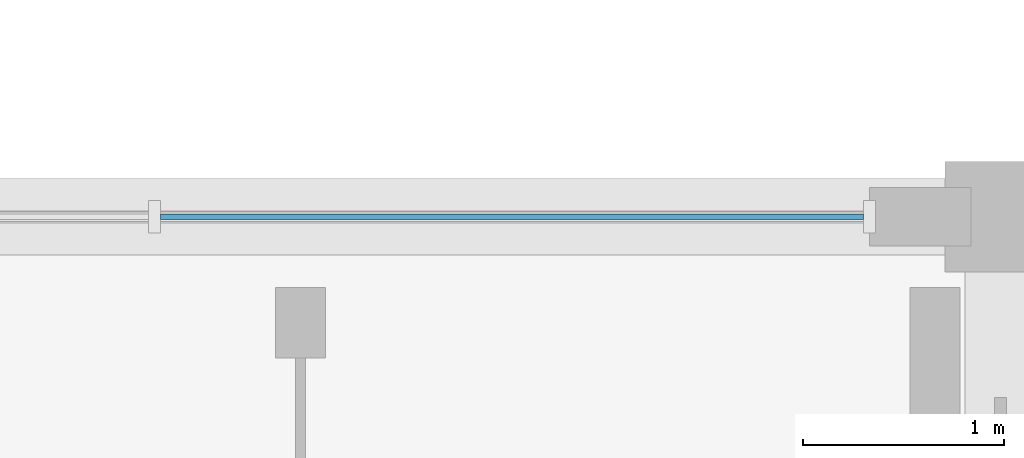
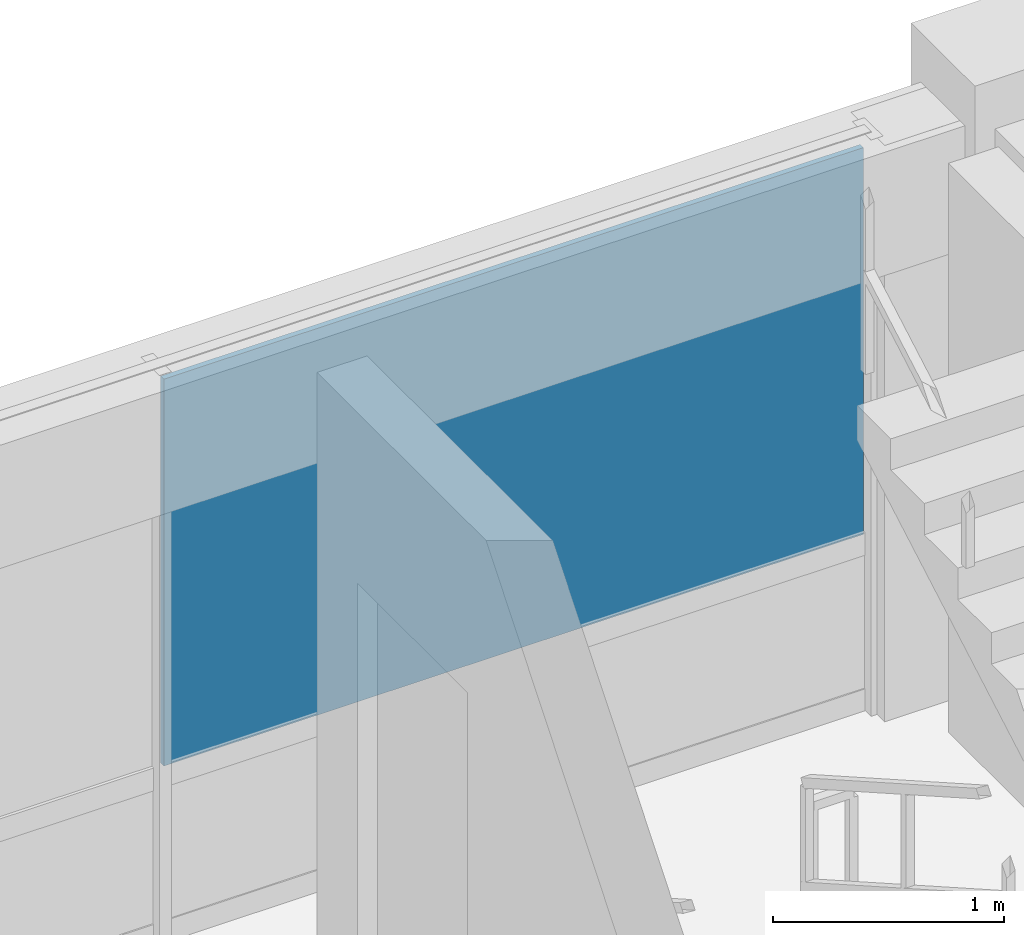
# One storey, part 21 of 68: 1 plate, 1 element without a shape of its own.
"""IFC4 building model written with IfcOpenShell, lengths in metres."""

from ifc_helpers import new_model, si_unit, direction, frame, origin, origin_2d, place, context, subcontext, project, spatial, rectangle, extrude, material, layer, layer_set, type_object, element, aggregate, save


model = new_model("IFC4")

# Units and contexts
model_context = context("Model", 3, precision=1e-05, world=origin(), true_north=direction((0.0, 1.0)))
body_context = subcontext(model_context, "Body", "Model", "MODEL_VIEW")
ifc_project = project(units=[si_unit("LENGTHUNIT", "METRE"), si_unit("AREAUNIT", "SQUARE_METRE"), si_unit("VOLUMEUNIT", "CUBIC_METRE"), si_unit("PLANEANGLEUNIT", "RADIAN"), si_unit("MASSUNIT", "GRAM", prefix="KILO"), si_unit("THERMODYNAMICTEMPERATUREUNIT", "KELVIN")], contexts=[model_context])

# Site, building, storey
site_placement = place(None, origin())
site = spatial("IfcSite", under=ifc_project, at=site_placement, CompositionType="ELEMENT")
building_placement = place(site_placement, origin())
building = spatial("IfcBuilding", under=site, at=building_placement, Name="Thalorik Housing Commons", CompositionType="ELEMENT")
storey_placement = place(building_placement, frame((0.0, 0.0, 24.60009765625)))
storey = spatial("IfcBuildingStorey", under=building, at=storey_placement, Name="L07", CompositionType="ELEMENT", Elevation=24.60009765625)

# Curtain wall, plate
ifc_material_1 = material(Name="Anodised aluminium and solar-control low-E glass", Category="aluminium")
curtain_wall_type = type_object("IfcCurtainWallType", Name="ARC-CW-CORE", PredefinedType="USERDEFINED", material=ifc_material_1)
curtain_wall_placement = place(storey_placement, origin())
curtain_wall = element("IfcCurtainWall", 1, at=curtain_wall_placement, inside=storey, type_object=curtain_wall_type, Name="L07 Curtain Wall CW-CORE-L07-B-101", ObjectType="CURTAIN WALL", PredefinedType="USERDEFINED")
ifc_material_2 = material(Name="Double solar-control low-E glass", Category="glass")
ifc_layer = layer(ifc_material_2, 0.028076171875, Name="Double solar-control low-E glass", Category="glass")
ifc_layer_set = layer_set([ifc_layer], Name="Double solar-control low-E glass")
plate_type = type_object("IfcPlateType", Name="ARC-CP-GLZ-28", PredefinedType="CURTAIN_PANEL", material=ifc_layer_set)
plate_placement = place(storey_placement, frame((164.375, 123.60009765625, 0.919921875), z_axis=(0.0, 0.0, 1.0), x_axis=(-1.0, 0.0, 0.0)))
plate = element("IfcPlate", 2, at=plate_placement, type_object=plate_type, Name="CW-CORE-L07-B-101 Vision Panel 1", PredefinedType="CURTAIN_PANEL", context=body_context, shape_type="SweptSolid", body=[
    extrude(rectangle(XDim=3.489990234375, YDim=0.028076171875, at=origin_2d()), origin(), (0.0, 0.0, 1.0), 2.0400390625),
])
aggregate(curtain_wall, [plate])

save(model, "model.ifc")
